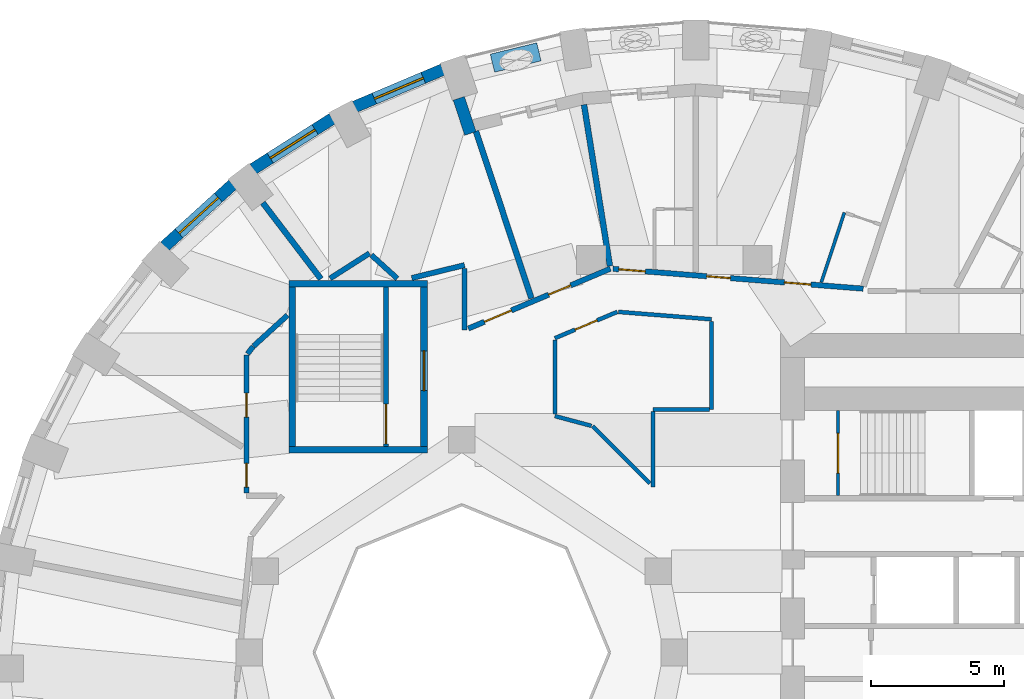
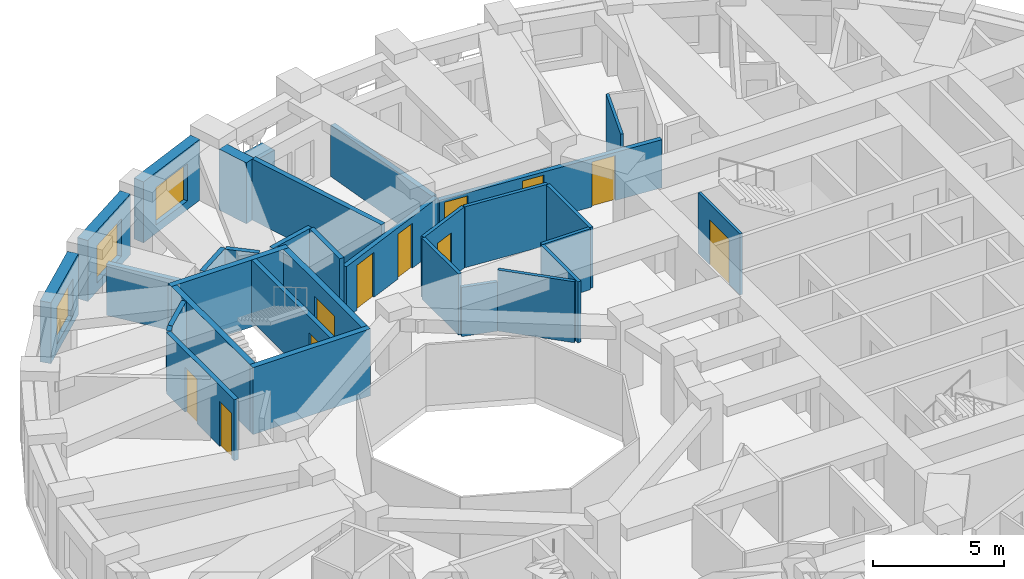
# One storey, part 7 of 12: 32 walls, 11 doors, 3 windows, 14 openings.
"""IFC4 building model written with IfcOpenShell, lengths in metres."""

from ifc_helpers import new_model, si_unit, direction, frame, frame_2d, origin, place, context, subcontext, project, spatial, rectangle, extrude, material, layer, layer_set, constituent, constituent_set, type_object, element, fill, save


model = new_model("IFC4")

# Units and contexts
model_context = context("Model", 3, precision=1e-05, world=origin(), true_north=direction((0.0, 1.0)))
body_context = subcontext(model_context, "Body", "Model", "MODEL_VIEW")
ifc_project = project(units=[si_unit("LENGTHUNIT", "METRE"), si_unit("AREAUNIT", "SQUARE_METRE"), si_unit("VOLUMEUNIT", "CUBIC_METRE"), si_unit("PLANEANGLEUNIT", "RADIAN"), si_unit("MASSUNIT", "GRAM", prefix="KILO")], contexts=[model_context])

# Site, building, storey
site_placement = place(None, origin())
site = spatial("IfcSite", under=ifc_project, at=site_placement, CompositionType="ELEMENT")
building_placement = place(site_placement, origin())
building = spatial("IfcBuilding", under=site, at=building_placement, Name="Taillehof Tower", CompositionType="ELEMENT")
storey_placement = place(building_placement, frame((0.0, 0.0, 131.800048828125)))
storey = spatial("IfcBuildingStorey", under=building, at=storey_placement, Name="L37", CompositionType="ELEMENT", Elevation=131.800048828125)

# Wall, opening, window
ifc_material_1 = material(Name="Brick masonry", Category="masonry")
ifc_layer_1 = layer(ifc_material_1, 0.449951171875)
ifc_layer_set_1 = layer_set([ifc_layer_1], Name="Brick infill wall 450")
wall_type_1 = type_object("IfcWallType", Name="Brick infill wall 450", PredefinedType="SOLIDWALL", material=ifc_layer_set_1)
wall_1_placement = place(storey_placement, frame((-8.718017578125, 21.93359375, 0.0), z_axis=(0.0, 0.0, 1.0), x_axis=(-0.920879975612, -0.389846213932, 0.0)))
wall_1 = element("IfcWall", 1, at=wall_1_placement, inside=storey, type_object=wall_type_1, Name="Brick wall L37 bay 12", PredefinedType="SOLIDWALL", context=body_context, shape_type="SweptSolid", body=[
    extrude(rectangle(XDim=3.591552734375, YDim=0.449951171875, at=frame_2d((1.7958984375, 0.0))), origin(), (0.0, 0.0, 1.0), 2.849853515625),
])
opening_1_placement = place(wall_1_placement, frame((0.795654296875, 0.0, 0.39990234375)))
opening_1 = element("IfcOpeningElement", 2, at=opening_1_placement, cuts=wall_1, Name="Opening W2", PredefinedType="OPENING", context=body_context, shape_type="SweptSolid", body=[
    extrude(rectangle(XDim=2.0, YDim=1.75, at=frame_2d((1.0, 0.875))), frame((0.0, 0.23486328125, 0.0), z_axis=(0.0, -1.0, 0.0), x_axis=(1.0, 0.0, 0.0)), (0.0, 0.0, 1.0), 0.469970703125),
])
ifc_material_2 = material(Name="Aluminium window frame with clear double glazing", Category="aluminium")
window_type = type_object("IfcWindowType", Name="Deep-set window 2000x1750", PartitioningType="SINGLE_PANEL", PredefinedType="WINDOW", material=ifc_material_2)
window_1_placement = place(opening_1_placement, origin())
window_1 = element("IfcWindow", 3, at=window_1_placement, inside=storey, type_object=window_type, Name="W2", OverallHeight=1.75, OverallWidth=2.0, PartitioningType="SINGLE_PANEL", PredefinedType="WINDOW", context=body_context, shape_type="SweptSolid", body=[
    extrude(rectangle(XDim=2.0, YDim=1.75, at=frame_2d((1.0, 0.875))), frame((0.0, 0.034912109375, 0.0), z_axis=(0.0, -1.0, 0.0), x_axis=(1.0, 0.0, 0.0)), (0.0, 0.0, 1.0), 0.06005859375),
])
fill(opening_1, window_1)

wall_2_placement = place(storey_placement, frame((-12.87548828125, 20.087158203125, 0.0), z_axis=(0.0, 0.0, 1.0), x_axis=(-0.843860651879, -0.536562391722, 0.0)))
wall_2 = element("IfcWall", 4, at=wall_2_placement, inside=storey, type_object=wall_type_1, Name="Brick wall L37 bay 13", PredefinedType="SOLIDWALL", context=body_context, shape_type="SweptSolid", body=[
    extrude(rectangle(XDim=3.5322265625, YDim=0.449951171875, at=frame_2d((1.76611328125, 0.0))), origin(), (0.0, 0.0, 1.0), 2.849853515625),
])
opening_2_placement = place(wall_2_placement, frame((0.76611328125, 0.0, 0.39990234375)))
opening_2 = element("IfcOpeningElement", 5, at=opening_2_placement, cuts=wall_2, Name="Opening W2", PredefinedType="OPENING", context=body_context, shape_type="SweptSolid", body=[
    extrude(rectangle(XDim=2.0, YDim=1.75, at=frame_2d((1.0, 0.875))), frame((0.0, 0.23486328125, 0.0), z_axis=(0.0, -1.0, 0.0), x_axis=(1.0, 0.0, 0.0)), (0.0, 0.0, 1.0), 0.469970703125),
])
window_2_placement = place(opening_2_placement, origin())
window_2 = element("IfcWindow", 6, at=window_2_placement, inside=storey, type_object=window_type, Name="W2", OverallHeight=1.75, OverallWidth=2.0, PartitioningType="SINGLE_PANEL", PredefinedType="WINDOW", context=body_context, shape_type="SweptSolid", body=[
    extrude(rectangle(XDim=2.0, YDim=1.75, at=frame_2d((1.0, 0.875))), frame((0.0, 0.034912109375, 0.0), z_axis=(0.0, -1.0, 0.0), x_axis=(1.0, 0.0, 0.0)), (0.0, 0.0, 1.0), 0.06005859375),
])
fill(opening_2, window_2)

wall_3_placement = place(storey_placement, frame((-16.61962890625, 17.609619140625, 0.0), z_axis=(0.0, 0.0, 1.0), x_axis=(-0.74032902847, -0.672244694739, 0.0)))
wall_3 = element("IfcWall", 7, at=wall_3_placement, inside=storey, type_object=wall_type_1, Name="Brick wall L37 bay 14", PredefinedType="SOLIDWALL", context=body_context, shape_type="SweptSolid", body=[
    extrude(rectangle(XDim=3.4638671875, YDim=0.449951171875, at=frame_2d((1.73193359375, 0.0))), origin(), (0.0, 0.0, 1.0), 2.849853515625),
])
opening_3_placement = place(wall_3_placement, frame((0.73193359375, 0.0, 0.39990234375)))
opening_3 = element("IfcOpeningElement", 8, at=opening_3_placement, cuts=wall_3, Name="Opening W2", PredefinedType="OPENING", context=body_context, shape_type="SweptSolid", body=[
    extrude(rectangle(XDim=2.0, YDim=1.75, at=frame_2d((1.0, 0.875))), frame((0.0, 0.23486328125, 0.0), z_axis=(0.0, -1.0, 0.0), x_axis=(1.0, 0.0, 0.0)), (0.0, 0.0, 1.0), 0.469970703125),
])
window_3_placement = place(opening_3_placement, origin())
window_3 = element("IfcWindow", 9, at=window_3_placement, inside=storey, type_object=window_type, Name="W2", OverallHeight=1.75, OverallWidth=2.0, PartitioningType="SINGLE_PANEL", PredefinedType="WINDOW", context=body_context, shape_type="SweptSolid", body=[
    extrude(rectangle(XDim=2.0, YDim=1.75, at=frame_2d((1.0, 0.875))), frame((0.0, 0.034912109375, 0.0), z_axis=(0.0, -1.0, 0.0), x_axis=(1.0, 0.0, 0.0)), (0.0, 0.0, 1.0), 0.06005859375),
])
fill(opening_3, window_3)

# Wall
wall_4_placement = place(storey_placement, frame((-8.1142578125, 20.853271484375, 0.0), z_axis=(0.0, 0.0, 1.0), x_axis=(0.314488854508, -0.949261165534, 0.0)))
element("IfcWall", 10, at=wall_4_placement, inside=storey, type_object=wall_type_1, Name="Brick reveal L37 pocket 2", PredefinedType="SOLIDWALL", context=body_context, shape_type="SweptSolid", body=[
    extrude(rectangle(XDim=1.390380859375, YDim=0.449951171875, at=frame_2d((0.6953125, 0.0))), origin(), (0.0, 0.0, 1.0), 2.849853515625),
])

# Wall, openings, doors
ifc_material_3 = material(Name="Gypsum board on steel studs, two layers each side", Category="steel")
ifc_layer_2 = layer(ifc_material_3, 0.199951171875)
ifc_layer_set_2 = layer_set([ifc_layer_2], Name="Compartment wall corridor 200")
wall_type_2 = type_object("IfcWallType", Name="Compartment wall corridor 200", PredefinedType="PARTITIONING", material=ifc_layer_set_2)
wall_5_placement = place(storey_placement, frame((-16.10009765625, 6.0, 0.0), z_axis=(0.0, 0.0, 1.0), x_axis=(0.0, 1.0, 0.0)))
wall_5 = element("IfcWall", 11, at=wall_5_placement, inside=storey, type_object=wall_type_2, Name="Compartment wall", PredefinedType="PARTITIONING", context=body_context, shape_type="SweptSolid", body=[
    extrude(rectangle(XDim=5.192138671875, YDim=0.199951171875, at=frame_2d((2.59619140625, 0.0))), origin(), (0.0, 0.0, 1.0), 2.849853515625),
])
opening_4_placement = place(wall_5_placement, frame((2.856689453125, 0.0, 0.0)))
opening_4 = element("IfcOpeningElement", 12, at=opening_4_placement, cuts=wall_5, Name="Opening D3750", PredefinedType="OPENING", context=body_context, shape_type="SweptSolid", body=[
    extrude(rectangle(XDim=0.89990234375, YDim=2.10009765625, at=frame_2d((0.449951171875, 1.050048828125))), frame((0.0, 0.10986328125, 0.0), z_axis=(0.0, -1.0, 0.0), x_axis=(1.0, 0.0, 0.0)), (0.0, 0.0, 1.0), 0.219970703125),
])
opening_5_placement = place(wall_5_placement, frame((0.219970703125, 0.0, 0.0)))
opening_5 = element("IfcOpeningElement", 13, at=opening_5_placement, cuts=wall_5, Name="Opening D3751", PredefinedType="OPENING", context=body_context, shape_type="SweptSolid", body=[
    extrude(rectangle(XDim=0.89990234375, YDim=2.10009765625, at=frame_2d((0.449951171875, 1.050048828125))), frame((0.0, 0.10986328125, 0.0), z_axis=(0.0, -1.0, 0.0), x_axis=(1.0, 0.0, 0.0)), (0.0, 0.0, 1.0), 0.219970703125),
])
ifc_material_4 = material(Name="Timber door leaf in steel frame", Category="steel")
door_type_1 = type_object("IfcDoorType", Name="Service room door EI 30 900 x 2100", OperationType="SINGLE_SWING_LEFT", PredefinedType="DOOR", material=ifc_material_4)
door_1_placement = place(opening_4_placement, origin())
door_1 = element("IfcDoor", 14, at=door_1_placement, inside=storey, type_object=door_type_1, Name="D3750", OperationType="SINGLE_SWING_LEFT", OverallHeight=2.10009765625, OverallWidth=0.89990234375, PredefinedType="DOOR", context=body_context, shape_type="SweptSolid", body=[
    extrude(rectangle(XDim=0.89990234375, YDim=2.10009765625, at=frame_2d((0.449951171875, 1.050048828125))), frame((0.0, 0.02490234375, 0.0), z_axis=(0.0, -1.0, 0.0), x_axis=(1.0, 0.0, 0.0)), (0.0, 0.0, 1.0), 0.050048828125),
])
fill(opening_4, door_1)
door_2_placement = place(opening_5_placement, origin())
door_2 = element("IfcDoor", 15, at=door_2_placement, inside=storey, type_object=door_type_1, Name="D3751", OperationType="SINGLE_SWING_RIGHT", OverallHeight=2.10009765625, OverallWidth=0.89990234375, PredefinedType="DOOR", context=body_context, shape_type="SweptSolid", body=[
    extrude(rectangle(XDim=0.89990234375, YDim=2.10009765625, at=frame_2d((0.449951171875, 1.050048828125))), frame((0.0, 0.02490234375, 0.0), z_axis=(0.0, -1.0, 0.0), x_axis=(1.0, 0.0, 0.0)), (0.0, 0.0, 1.0), 0.050048828125),
])
fill(opening_5, door_2)

# Walls
wall_6_placement = place(storey_placement, frame((-16.0634765625, 11.23974609375, 0.0), z_axis=(0.0, 0.0, 1.0), x_axis=(0.609744747854, 0.792597844096, 0.0)))
element("IfcWall", 16, at=wall_6_placement, inside=storey, type_object=wall_type_2, Name="Compartment wall", PredefinedType="PARTITIONING", context=body_context, shape_type="SweptSolid", body=[
    extrude(rectangle(XDim=0.34716796875, YDim=0.199951171875, at=frame_2d((0.173583984375, 0.0))), origin(), (0.0, 0.0, 1.0), 2.849853515625),
])
wall_7_placement = place(storey_placement, frame((-15.8369140625, 11.5283203125, 0.0), z_axis=(0.0, 0.0, 1.0), x_axis=(0.739402681643, 0.673263450946, 0.0)))
element("IfcWall", 17, at=wall_7_placement, inside=storey, type_object=wall_type_2, Name="Compartment wall", PredefinedType="PARTITIONING", context=body_context, shape_type="SweptSolid", body=[
    extrude(rectangle(XDim=1.7275390625, YDim=0.199951171875, at=frame_2d((0.86376953125, 0.0))), origin(), (0.0, 0.0, 1.0), 2.849853515625),
])
wall_8_placement = place(storey_placement, frame((-12.957275390625, 14.0771484375, 0.0), z_axis=(0.0, 0.0, 1.0), x_axis=(0.843226410818, 0.537558573645, 0.0)))
element("IfcWall", 18, at=wall_8_placement, inside=storey, type_object=wall_type_2, Name="Compartment wall", PredefinedType="PARTITIONING", context=body_context, shape_type="SweptSolid", body=[
    extrude(rectangle(XDim=1.757080078125, YDim=0.199951171875, at=frame_2d((0.87841796875, 0.0))), origin(), (0.0, 0.0, 1.0), 2.849853515625),
])
wall_9_placement = place(storey_placement, frame((-11.401123046875, 14.95458984375, 0.0), z_axis=(0.0, 0.0, 1.0), x_axis=(0.740594498135, -0.671952222507, 0.0)))
element("IfcWall", 19, at=wall_9_placement, inside=storey, type_object=wall_type_2, Name="Compartment wall", PredefinedType="PARTITIONING", context=body_context, shape_type="SweptSolid", body=[
    extrude(rectangle(XDim=1.31591796875, YDim=0.199951171875, at=frame_2d((0.657958984375, 0.0))), origin(), (0.0, 0.0, 1.0), 2.849853515625),
])
wall_10_placement = place(storey_placement, frame((-9.883544921875, 14.092041015625, 0.0), z_axis=(0.0, 0.0, 1.0), x_axis=(0.971512281799, 0.236989211388, 0.0)))
element("IfcWall", 20, at=wall_10_placement, inside=storey, type_object=wall_type_2, Name="Compartment wall", PredefinedType="PARTITIONING", context=body_context, shape_type="SweptSolid", body=[
    extrude(rectangle(XDim=2.041748046875, YDim=0.199951171875, at=frame_2d((1.02099609375, 0.0))), origin(), (0.0, 0.0, 1.0), 2.849853515625),
])
wall_11_placement = place(storey_placement, frame((-7.89990234375, 14.455810546875, 0.0), z_axis=(0.0, 0.0, 1.0), x_axis=(0.0, -1.0, 0.0)))
element("IfcWall", 21, at=wall_11_placement, inside=storey, type_object=wall_type_2, Name="Compartment wall", PredefinedType="PARTITIONING", context=body_context, shape_type="SweptSolid", body=[
    extrude(rectangle(XDim=2.328369140625, YDim=0.199951171875, at=frame_2d((1.1640625, 0.0))), origin(), (0.0, 0.0, 1.0), 2.849853515625),
])

# Wall, openings, doors
wall_12_placement = place(storey_placement, frame((-7.75341796875, 12.18994140625, 0.0), z_axis=(0.0, 0.0, 1.0), x_axis=(0.921319622993, 0.388806059994, 0.0)))
wall_12 = element("IfcWall", 22, at=wall_12_placement, inside=storey, type_object=wall_type_2, Name="Compartment wall", PredefinedType="PARTITIONING", context=body_context, shape_type="SweptSolid", body=[
    extrude(rectangle(XDim=5.79833984375, YDim=0.199951171875, at=frame_2d((2.899169921875, 0.0))), origin(), (0.0, 0.0, 1.0), 2.39990234375),
])
opening_6_placement = place(wall_12_placement, frame((3.27978515625, 0.0, 0.0)))
opening_6 = element("IfcOpeningElement", 23, at=opening_6_placement, cuts=wall_12, Name="Opening D3748", PredefinedType="OPENING", context=body_context, shape_type="SweptSolid", body=[
    extrude(rectangle(XDim=0.89990234375, YDim=2.10009765625, at=frame_2d((0.449951171875, 1.050048828125))), frame((0.0, 0.10986328125, 0.0), z_axis=(0.0, -1.0, 0.0), x_axis=(1.0, 0.0, 0.0)), (0.0, 0.0, 1.0), 0.219970703125),
])
opening_7_placement = place(wall_12_placement, frame((0.654296875, 0.0, 0.0)))
opening_7 = element("IfcOpeningElement", 24, at=opening_7_placement, cuts=wall_12, Name="Opening D3749", PredefinedType="OPENING", context=body_context, shape_type="SweptSolid", body=[
    extrude(rectangle(XDim=1.10009765625, YDim=2.10009765625, at=frame_2d((0.550048828125, 1.050048828125))), frame((0.0, 0.10986328125, 0.0), z_axis=(0.0, -1.0, 0.0), x_axis=(1.0, 0.0, 0.0)), (0.0, 0.0, 1.0), 0.219970703125),
])
door_3_placement = place(opening_6_placement, origin())
door_3 = element("IfcDoor", 25, at=door_3_placement, inside=storey, type_object=door_type_1, Name="D3748", OperationType="SINGLE_SWING_LEFT", OverallHeight=2.10009765625, OverallWidth=0.89990234375, PredefinedType="DOOR", context=body_context, shape_type="SweptSolid", body=[
    extrude(rectangle(XDim=0.89990234375, YDim=2.10009765625, at=frame_2d((0.449951171875, 1.050048828125))), frame((0.0, 0.02490234375, 0.0), z_axis=(0.0, -1.0, 0.0), x_axis=(1.0, 0.0, 0.0)), (0.0, 0.0, 1.0), 0.050048828125),
])
fill(opening_6, door_3)
ifc_material_5 = material(Name="Timber door leaf in steel frame", Category="steel")
door_type_2 = type_object("IfcDoorType", Name="Suite entrance door EI 30 1100 x 2100", OperationType="SINGLE_SWING_LEFT", PredefinedType="DOOR", material=ifc_material_5)
door_4_placement = place(opening_7_placement, origin())
door_4 = element("IfcDoor", 26, at=door_4_placement, inside=storey, type_object=door_type_2, Name="D3749", OperationType="SINGLE_SWING_RIGHT", OverallHeight=2.10009765625, OverallWidth=1.10009765625, PredefinedType="DOOR", context=body_context, shape_type="SweptSolid", body=[
    extrude(rectangle(XDim=1.10009765625, YDim=2.10009765625, at=frame_2d((0.550048828125, 1.050048828125))), frame((0.0, 0.02490234375, 0.0), z_axis=(0.0, -1.0, 0.0), x_axis=(1.0, 0.0, 0.0)), (0.0, 0.0, 1.0), 0.050048828125),
])
fill(opening_7, door_4)

wall_13_placement = place(storey_placement, frame((-2.311279296875, 14.43701171875, 0.0), z_axis=(0.0, 0.0, 1.0), x_axis=(0.996870762165, -0.079048615048, 0.0)))
wall_13 = element("IfcWall", 27, at=wall_13_placement, inside=storey, type_object=wall_type_2, Name="Compartment wall", PredefinedType="PARTITIONING", context=body_context, shape_type="SweptSolid", body=[
    extrude(rectangle(XDim=9.444580078125, YDim=0.199951171875, at=frame_2d((4.72216796875, 0.0))), origin(), (0.0, 0.0, 1.0), 2.25),
])
opening_8_placement = place(wall_13_placement, frame((6.471435546875, 0.0, 0.0)))
opening_8 = element("IfcOpeningElement", 28, at=opening_8_placement, cuts=wall_13, Name="Opening D3743", PredefinedType="OPENING", context=body_context, shape_type="SweptSolid", body=[
    extrude(rectangle(XDim=1.0, YDim=2.10009765625, at=frame_2d((0.5, 1.050048828125))), frame((0.0, 0.10986328125, 0.0), z_axis=(0.0, -1.0, 0.0), x_axis=(1.0, 0.0, 0.0)), (0.0, 0.0, 1.0), 0.219970703125),
])
opening_9_placement = place(wall_13_placement, frame((3.533447265625, 0.0, 0.0)))
opening_9 = element("IfcOpeningElement", 29, at=opening_9_placement, cuts=wall_13, Name="Opening D3745", PredefinedType="OPENING", context=body_context, shape_type="SweptSolid", body=[
    extrude(rectangle(XDim=0.89990234375, YDim=2.10009765625, at=frame_2d((0.449951171875, 1.050048828125))), frame((0.0, 0.10986328125, 0.0), z_axis=(0.0, -1.0, 0.0), x_axis=(1.0, 0.0, 0.0)), (0.0, 0.0, 1.0), 0.219970703125),
])
opening_10_placement = place(wall_13_placement, frame((0.219970703125, 0.0, 0.0)))
opening_10 = element("IfcOpeningElement", 30, at=opening_10_placement, cuts=wall_13, Name="Opening D3746", PredefinedType="OPENING", context=body_context, shape_type="SweptSolid", body=[
    extrude(rectangle(XDim=1.0, YDim=2.10009765625, at=frame_2d((0.5, 1.050048828125))), frame((0.0, 0.10986328125, 0.0), z_axis=(0.0, -1.0, 0.0), x_axis=(1.0, 0.0, 0.0)), (0.0, 0.0, 1.0), 0.219970703125),
])
ifc_material_6 = material(Name="Timber door leaf in steel frame", Category="steel")
door_type_3 = type_object("IfcDoorType", Name="Guest room door EI 30 1000 x 2100", OperationType="SINGLE_SWING_LEFT", PredefinedType="DOOR", material=ifc_material_6)
door_5_placement = place(opening_8_placement, origin())
door_5 = element("IfcDoor", 31, at=door_5_placement, inside=storey, type_object=door_type_3, Name="D3743", OperationType="SINGLE_SWING_LEFT", OverallHeight=2.10009765625, OverallWidth=1.0, PredefinedType="DOOR", context=body_context, shape_type="SweptSolid", body=[
    extrude(rectangle(XDim=1.0, YDim=2.10009765625, at=frame_2d((0.5, 1.050048828125))), frame((0.0, 0.02490234375, 0.0), z_axis=(0.0, -1.0, 0.0), x_axis=(1.0, 0.0, 0.0)), (0.0, 0.0, 1.0), 0.050048828125),
])
fill(opening_8, door_5)
door_6_placement = place(opening_10_placement, origin())
door_6 = element("IfcDoor", 32, at=door_6_placement, inside=storey, type_object=door_type_3, Name="D3746", OperationType="SINGLE_SWING_LEFT", OverallHeight=2.10009765625, OverallWidth=1.0, PredefinedType="DOOR", context=body_context, shape_type="SweptSolid", body=[
    extrude(rectangle(XDim=1.0, YDim=2.10009765625, at=frame_2d((0.5, 1.050048828125))), frame((0.0, 0.02490234375, 0.0), z_axis=(0.0, -1.0, 0.0), x_axis=(1.0, 0.0, 0.0)), (0.0, 0.0, 1.0), 0.050048828125),
])
fill(opening_10, door_6)
door_7_placement = place(opening_9_placement, origin())
door_7 = element("IfcDoor", 33, at=door_7_placement, inside=storey, type_object=door_type_1, Name="D3745", OperationType="SINGLE_SWING_LEFT", OverallHeight=2.10009765625, OverallWidth=0.89990234375, PredefinedType="DOOR", context=body_context, shape_type="SweptSolid", body=[
    extrude(rectangle(XDim=0.89990234375, YDim=2.10009765625, at=frame_2d((0.449951171875, 1.050048828125))), frame((0.0, 0.02490234375, 0.0), z_axis=(0.0, -1.0, 0.0), x_axis=(1.0, 0.0, 0.0)), (0.0, 0.0, 1.0), 0.050048828125),
])
fill(opening_9, door_7)

# Walls
ifc_material_7 = material(Name="Gypsum board on double steel studs with mineral wool", Category="steel")
ifc_layer_3 = layer(ifc_material_7, 0.219970703125)
ifc_layer_set_3 = layer_set([ifc_layer_3], Name="Compartment wall guest room 220")
wall_type_3 = type_object("IfcWallType", Name="Compartment wall guest room 220", PredefinedType="PARTITIONING", material=ifc_layer_set_3)
wall_14_placement = place(storey_placement, frame((-3.40185546875, 20.614013671875, 0.0), z_axis=(0.0, 0.0, 1.0), x_axis=(0.158510822082, -0.987357239951, 0.0)))
element("IfcWall", 34, at=wall_14_placement, inside=storey, type_object=wall_type_3, Name="Compartment wall", PredefinedType="PARTITIONING", context=body_context, shape_type="SweptSolid", body=[
    extrude(rectangle(XDim=6.1484375, YDim=0.219970703125, at=frame_2d((3.07421875, 0.0))), origin(), (0.0, 0.0, 1.0), 2.39990234375),
])
wall_15_placement = place(storey_placement, frame((-7.46923828125, 19.621826171875, 0.0), z_axis=(0.0, 0.0, 1.0), x_axis=(0.314539081996, -0.949244523765, 0.0)))
element("IfcWall", 35, at=wall_15_placement, inside=storey, type_object=wall_type_3, Name="Compartment wall", PredefinedType="PARTITIONING", context=body_context, shape_type="SweptSolid", body=[
    extrude(rectangle(XDim=6.637939453125, YDim=0.219970703125, at=frame_2d((3.31884765625, 0.0))), origin(), (0.0, 0.0, 1.0), 2.849853515625),
])
wall_16_placement = place(storey_placement, frame((-15.4892578125, 16.9208984375, 0.0), z_axis=(0.0, 0.0, 1.0), x_axis=(0.607057591547, -0.794657838661, 0.0)))
element("IfcWall", 36, at=wall_16_placement, inside=storey, type_object=wall_type_3, Name="Compartment wall", PredefinedType="PARTITIONING", context=body_context, shape_type="SweptSolid", body=[
    extrude(rectangle(XDim=3.602294921875, YDim=0.219970703125, at=frame_2d((1.80126953125, 0.0))), origin(), (0.0, 0.0, 1.0), 2.39990234375),
])

# Wall, opening, door
ifc_material_8 = material(Name="Gypsum board on steel studs, two layers each side", Category="steel")
ifc_layer_4 = layer(ifc_material_8, 0.14990234375)
ifc_layer_set_4 = layer_set([ifc_layer_4], Name="Compartment wall service room 150")
wall_type_4 = type_object("IfcWallType", Name="Compartment wall service room 150", PredefinedType="PARTITIONING", material=ifc_layer_set_4)
wall_17_placement = place(storey_placement, frame((-4.5, 11.825927734375, 0.0), z_axis=(0.0, 0.0, 1.0), x_axis=(0.921264033472, 0.388937759329, 0.0)))
wall_17 = element("IfcWall", 37, at=wall_17_placement, inside=storey, type_object=wall_type_4, Name="Compartment wall", PredefinedType="PARTITIONING", context=body_context, shape_type="SweptSolid", body=[
    extrude(rectangle(XDim=2.55224609375, YDim=0.14990234375, at=frame_2d((1.276123046875, 0.0))), origin(), (0.0, 0.0, 1.0), 2.849853515625),
])
opening_11_placement = place(wall_17_placement, frame((0.826171875, 0.0, 0.0)))
opening_11 = element("IfcOpeningElement", 38, at=opening_11_placement, cuts=wall_17, Name="Opening D3768", PredefinedType="OPENING", context=body_context, shape_type="SweptSolid", body=[
    extrude(rectangle(XDim=0.89990234375, YDim=2.10009765625, at=frame_2d((0.449951171875, 1.050048828125))), frame((0.0, 0.0849609375, 0.0), z_axis=(0.0, -1.0, 0.0), x_axis=(1.0, 0.0, 0.0)), (0.0, 0.0, 1.0), 0.169921875),
])
door_8_placement = place(opening_11_placement, origin())
door_8 = element("IfcDoor", 39, at=door_8_placement, inside=storey, type_object=door_type_1, Name="D3768", OperationType="SINGLE_SWING_RIGHT", OverallHeight=2.10009765625, OverallWidth=0.89990234375, PredefinedType="DOOR", context=body_context, shape_type="SweptSolid", body=[
    extrude(rectangle(XDim=0.89990234375, YDim=2.10009765625, at=frame_2d((0.449951171875, 1.050048828125))), frame((0.0, 0.02490234375, 0.0), z_axis=(0.0, -1.0, 0.0), x_axis=(1.0, 0.0, 0.0)), (0.0, 0.0, 1.0), 0.050048828125),
])
fill(opening_11, door_8)

# Walls
wall_18_placement = place(storey_placement, frame((-2.108642578125, 12.815673828125, 0.0), z_axis=(0.0, 0.0, 1.0), x_axis=(0.996868431192, -0.079078005119, 0.0)))
element("IfcWall", 40, at=wall_18_placement, inside=storey, type_object=wall_type_4, Name="Compartment wall", PredefinedType="PARTITIONING", context=body_context, shape_type="SweptSolid", body=[
    extrude(rectangle(XDim=3.51953125, YDim=0.14990234375, at=frame_2d((1.759765625, 0.0))), origin(), (0.0, 0.0, 1.0), 2.849853515625),
])
wall_19_placement = place(storey_placement, frame((1.39990234375, 12.457275390625, 0.0), z_axis=(0.0, 0.0, 1.0), x_axis=(0.0, -1.0, 0.0)))
element("IfcWall", 41, at=wall_19_placement, inside=storey, type_object=wall_type_4, Name="Compartment wall", PredefinedType="PARTITIONING", context=body_context, shape_type="SweptSolid", body=[
    extrude(rectangle(XDim=3.307373046875, YDim=0.14990234375, at=frame_2d((1.65380859375, 0.0))), origin(), (0.0, 0.0, 1.0), 2.849853515625),
])
wall_20_placement = place(storey_placement, frame((1.31982421875, 9.14990234375, 0.0), z_axis=(0.0, 0.0, 1.0), x_axis=(-1.0, 0.0, 0.0)))
element("IfcWall", 42, at=wall_20_placement, inside=storey, type_object=wall_type_4, Name="Compartment wall", PredefinedType="PARTITIONING", context=body_context, shape_type="SweptSolid", body=[
    extrude(rectangle(XDim=2.119873046875, YDim=0.14990234375, at=frame_2d((1.06005859375, 0.0))), origin(), (0.0, 0.0, 1.0), 2.849853515625),
])
wall_21_placement = place(storey_placement, frame((-0.800048828125, 9.06982421875, 0.0), z_axis=(0.0, 0.0, 1.0), x_axis=(0.0, -1.0, 0.0)))
element("IfcWall", 43, at=wall_21_placement, inside=storey, type_object=wall_type_4, Name="Compartment wall", PredefinedType="PARTITIONING", context=body_context, shape_type="SweptSolid", body=[
    extrude(rectangle(XDim=2.834716796875, YDim=0.14990234375, at=frame_2d((1.41748046875, 0.0))), origin(), (0.0, 0.0, 1.0), 2.849853515625),
])
wall_22_placement = place(storey_placement, frame((-0.927490234375, 6.362548828125, 0.0), z_axis=(0.0, 0.0, 1.0), x_axis=(-0.707106781187, 0.707106781187, 0.0)))
element("IfcWall", 44, at=wall_22_placement, inside=storey, type_object=wall_type_4, Name="Compartment wall", PredefinedType="PARTITIONING", context=body_context, shape_type="SweptSolid", body=[
    extrude(rectangle(XDim=3.047607421875, YDim=0.14990234375, at=frame_2d((1.52392578125, 0.0))), origin(), (0.0, 0.0, 1.0), 2.849853515625),
])
wall_23_placement = place(storey_placement, frame((-3.12109375, 8.52783203125, 0.0), z_axis=(0.0, 0.0, 1.0), x_axis=(-0.965941945062, 0.258758881529, 0.0)))
element("IfcWall", 45, at=wall_23_placement, inside=storey, type_object=wall_type_4, Name="Compartment wall", PredefinedType="PARTITIONING", context=body_context, shape_type="SweptSolid", body=[
    extrude(rectangle(XDim=1.427490234375, YDim=0.14990234375, at=frame_2d((0.7138671875, 0.0))), origin(), (0.0, 0.0, 1.0), 2.300048828125),
])
wall_24_placement = place(storey_placement, frame((-4.5, 8.977294921875, 0.0), z_axis=(0.0, 0.0, 1.0), x_axis=(0.0, 1.0, 0.0)))
element("IfcWall", 46, at=wall_24_placement, inside=storey, type_object=wall_type_4, Name="Compartment wall", PredefinedType="PARTITIONING", context=body_context, shape_type="SweptSolid", body=[
    extrude(rectangle(XDim=2.78857421875, YDim=0.14990234375, at=frame_2d((1.394287109375, 0.0))), origin(), (0.0, 0.0, 1.0), 2.849853515625),
])
ifc_material_9 = material(Name="Gypsum board on steel studs, moisture resistant", Category="steel")
ifc_layer_5 = layer(ifc_material_9, 0.1201171875)
ifc_layer_set_5 = layer_set([ifc_layer_5], Name="En-suite wall 120")
wall_type_5 = type_object("IfcWallType", Name="En-suite wall 120", PredefinedType="PARTITIONING", material=ifc_layer_set_5)
wall_25_placement = place(storey_placement, frame((5.529052734375, 13.93505859375, 0.0), z_axis=(0.0, 0.0, 1.0), x_axis=(0.31455402028, 0.949239573725, 0.0)))
element("IfcWall", 47, at=wall_25_placement, inside=storey, type_object=wall_type_5, Name="En-suite wall", PredefinedType="PARTITIONING", context=body_context, shape_type="SweptSolid", body=[
    extrude(rectangle(XDim=2.757568359375, YDim=0.1201171875, at=frame_2d((1.37890625, 0.0))), origin(), (0.0, 0.0, 1.0), 2.849853515625),
])
ifc_material_10 = material(Name="Concrete C30/37 precast", Category="concrete")
ifc_constituent_1 = constituent(ifc_material_10, Name="Structure", Category="concrete")
ifc_material_11 = material(Name="Insulated lining")
ifc_constituent_2 = constituent(ifc_material_11, Name="Lining")
ifc_constituent_set = constituent_set(constituents=[ifc_constituent_1, ifc_constituent_2], Name="Planter trough 700x750")
wall_type_6 = type_object("IfcWallType", Name="Planter trough 700x750", PredefinedType="USERDEFINED", material=ifc_constituent_set)
wall_26_placement = place(storey_placement, frame((-5.098876953125, 22.6005859375, 0.0), z_axis=(0.0, 0.0, 1.0), x_axis=(-0.971654974133, -0.23640349245, 0.0)))
element("IfcWall", 48, at=wall_26_placement, inside=storey, type_object=wall_type_6, Name="Planter L37 bay 11", ObjectType="PLANTER", PredefinedType="USERDEFINED", context=body_context, shape_type="SweptSolid", body=[
    extrude(rectangle(XDim=1.800048828125, YDim=0.699951171875, at=frame_2d((0.89990234375, 0.0))), origin(), (0.0, 0.0, 1.0), 0.75),
])

# Wall, opening, door
ifc_material_12 = material(Name="Concrete C50/60", Category="concrete")
ifc_layer_6 = layer(ifc_material_12, 0.199951171875)
ifc_layer_set_6 = layer_set([ifc_layer_6], Name="Shaft wall C50/60 200")
wall_type_7 = type_object("IfcWallType", Name="Shaft wall C50/60 200", PredefinedType="SHEAR", material=ifc_layer_set_6)
wall_27_placement = place(storey_placement, frame((-10.85009765625, 7.75, 0.0), z_axis=(0.0, 0.0, 1.0), x_axis=(0.0, 1.0, 0.0)))
wall_27 = element("IfcWall", 49, at=wall_27_placement, inside=storey, type_object=wall_type_7, Name="Shaft wall SW", PredefinedType="SHEAR", context=body_context, shape_type="SweptSolid", body=[
    extrude(rectangle(XDim=6.0, YDim=0.199951171875, at=frame_2d((3.0, 0.0))), origin(), (0.0, 0.0, 1.0), 2.849853515625),
])
opening_12_placement = place(wall_27_placement, frame((0.10009765625, 0.0, 0.0)))
opening_12 = element("IfcOpeningElement", 50, at=opening_12_placement, cuts=wall_27, Name="Opening D3712", PredefinedType="OPENING", context=body_context, shape_type="SweptSolid", body=[
    extrude(rectangle(XDim=1.5, YDim=2.10009765625, at=frame_2d((0.75, 1.050048828125))), frame((0.0, 0.10986328125, 0.0), z_axis=(0.0, -1.0, 0.0), x_axis=(1.0, 0.0, 0.0)), (0.0, 0.0, 1.0), 0.219970703125),
])
ifc_material_13 = material(Name="Steel-faced fire door", Category="steel")
door_type_4 = type_object("IfcDoorType", Name="Stair door 1500x2100", OperationType="DOUBLE_DOOR_SINGLE_SWING", PredefinedType="DOOR", material=ifc_material_13)
door_9_placement = place(opening_12_placement, origin())
door_9 = element("IfcDoor", 51, at=door_9_placement, inside=storey, type_object=door_type_4, Name="Stair lobby door S3", OperationType="DOUBLE_DOOR_SINGLE_SWING", OverallHeight=2.10009765625, OverallWidth=1.5, PredefinedType="DOOR", context=body_context, shape_type="SweptSolid", body=[
    extrude(rectangle(XDim=1.5, YDim=2.10009765625, at=frame_2d((0.75, 1.050048828125))), frame((0.0, 0.02490234375, 0.0), z_axis=(0.0, -1.0, 0.0), x_axis=(1.0, 0.0, 0.0)), (0.0, 0.0, 1.0), 0.050048828125),
])
fill(opening_12, door_9)

ifc_material_14 = material(Name="Concrete C50/60", Category="concrete")
ifc_layer_7 = layer(ifc_material_14, 0.1201171875)
ifc_layer_set_7 = layer_set([ifc_layer_7], Name="Stair lobby wall C50/60 120")
wall_type_8 = type_object("IfcWallType", Name="Stair lobby wall C50/60 120", PredefinedType="SHEAR", material=ifc_layer_set_7)
wall_28_placement = place(storey_placement, frame((6.159912109375, 5.89990234375, 0.0), z_axis=(0.0, 0.0, 1.0), x_axis=(0.0, 1.0, 0.0)))
wall_28 = element("IfcWall", 52, at=wall_28_placement, inside=storey, type_object=wall_type_8, Name="Compartment wall SW", PredefinedType="SHEAR", context=body_context, shape_type="SweptSolid", body=[
    extrude(rectangle(XDim=3.2001953125, YDim=0.1201171875, at=frame_2d((1.60009765625, 0.0))), origin(), (0.0, 0.0, 1.0), 2.849853515625),
])
opening_13_placement = place(wall_28_placement, frame((0.85009765625, 0.0, 0.0)))
opening_13 = element("IfcOpeningElement", 53, at=opening_13_placement, cuts=wall_28, Name="Opening D3710", PredefinedType="OPENING", context=body_context, shape_type="SweptSolid", body=[
    extrude(rectangle(XDim=1.5, YDim=2.10009765625, at=frame_2d((0.75, 1.050048828125))), frame((0.0, 0.070068359375, 0.0), z_axis=(0.0, -1.0, 0.0), x_axis=(1.0, 0.0, 0.0)), (0.0, 0.0, 1.0), 0.14013671875),
])
door_10_placement = place(opening_13_placement, origin())
door_10 = element("IfcDoor", 54, at=door_10_placement, inside=storey, type_object=door_type_4, Name="Stair lobby door S1", OperationType="DOUBLE_DOOR_SINGLE_SWING", OverallHeight=2.10009765625, OverallWidth=1.5, PredefinedType="DOOR", context=body_context, shape_type="SweptSolid", body=[
    extrude(rectangle(XDim=1.5, YDim=2.10009765625, at=frame_2d((0.75, 1.050048828125))), frame((0.0, 0.02490234375, 0.0), z_axis=(0.0, -1.0, 0.0), x_axis=(1.0, 0.0, 0.0)), (0.0, 0.0, 1.0), 0.050048828125),
])
fill(opening_13, door_10)

# Wall
ifc_material_15 = material(Name="Concrete C50/60", Category="concrete")
ifc_layer_8 = layer(ifc_material_15, 0.25)
ifc_layer_set_8 = layer_set([ifc_layer_8], Name="Stair wall C50/60 250")
wall_type_9 = type_object("IfcWallType", Name="Stair wall C50/60 250", PredefinedType="SHEAR", material=ifc_layer_set_8)
wall_29_placement = place(storey_placement, frame((-14.375, 7.75, -0.280029296875), z_axis=(0.0, 0.0, 1.0), x_axis=(0.0, 1.0, 0.0)))
element("IfcWall", 55, at=wall_29_placement, inside=storey, type_object=wall_type_9, Name="Stair wall SC", PredefinedType="SHEAR", context=body_context, shape_type="SweptSolid", body=[
    extrude(rectangle(XDim=6.0, YDim=0.25, at=frame_2d((3.0, 0.0))), origin(), (0.0, 0.0, 1.0), 3.1298828125),
])

# Wall, opening, door
wall_30_placement = place(storey_placement, frame((-9.425048828125, 7.75, -0.280029296875), z_axis=(0.0, 0.0, 1.0), x_axis=(0.0, 1.0, 0.0)))
wall_30 = element("IfcWall", 56, at=wall_30_placement, inside=storey, type_object=wall_type_9, Name="Stair wall SC", PredefinedType="SHEAR", context=body_context, shape_type="SweptSolid", body=[
    extrude(rectangle(XDim=6.0, YDim=0.25, at=frame_2d((3.0, 0.0))), origin(), (0.0, 0.0, 1.0), 3.1298828125),
])
opening_14_placement = place(wall_30_placement, frame((2.10009765625, 0.0, 0.280029296875)))
opening_14 = element("IfcOpeningElement", 57, at=opening_14_placement, cuts=wall_30, Name="Opening D3719", PredefinedType="OPENING", context=body_context, shape_type="SweptSolid", body=[
    extrude(rectangle(XDim=1.5, YDim=2.10009765625, at=frame_2d((0.75, 1.050048828125))), frame((0.0, 0.135009765625, 0.0), z_axis=(0.0, -1.0, 0.0), x_axis=(1.0, 0.0, 0.0)), (0.0, 0.0, 1.0), 0.27001953125),
])
door_11_placement = place(opening_14_placement, origin())
door_11 = element("IfcDoor", 58, at=door_11_placement, inside=storey, type_object=door_type_4, Name="Stair door S3", OperationType="DOUBLE_DOOR_SINGLE_SWING", OverallHeight=2.10009765625, OverallWidth=1.5, PredefinedType="DOOR", context=body_context, shape_type="SweptSolid", body=[
    extrude(rectangle(XDim=1.5, YDim=2.10009765625, at=frame_2d((0.75, 1.050048828125))), frame((0.0, 0.02490234375, 0.0), z_axis=(0.0, -1.0, 0.0), x_axis=(1.0, 0.0, 0.0)), (0.0, 0.0, 1.0), 0.050048828125),
])
fill(opening_14, door_11)

# Walls
for number, where, z_axis, x_axis, name in (
    (59, (-14.5, 13.875, -0.280029296875), (0.0, 0.0, 1.0), (1.0, 0.0, 0.0), "Stair wall SC"),
    (60, (-14.5, 7.625, -0.280029296875), (0.0, 0.0, 1.0), (1.0, 0.0, 0.0), "Stair wall SC"),
):
    element("IfcWall", number, at=place(storey_placement, frame(where, z_axis=z_axis, x_axis=x_axis)), inside=storey, type_object=wall_type_9, Name=name, PredefinedType="SHEAR", context=body_context, shape_type="SweptSolid", body=[
        extrude(rectangle(XDim=5.199951171875, YDim=0.25, at=frame_2d((2.60009765625, 0.0))), origin(), (0.0, 0.0, 1.0), 3.1298828125),
    ])

save(model, "model.ifc")
